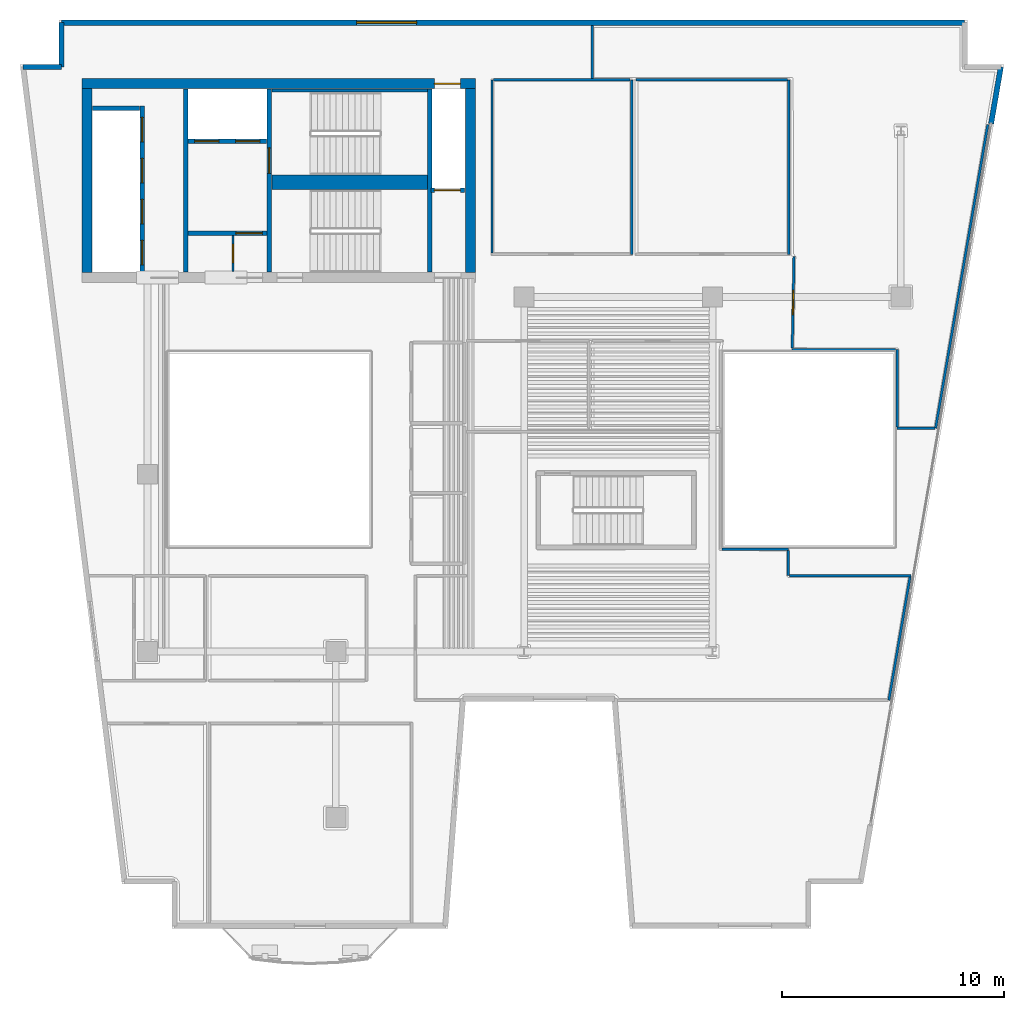
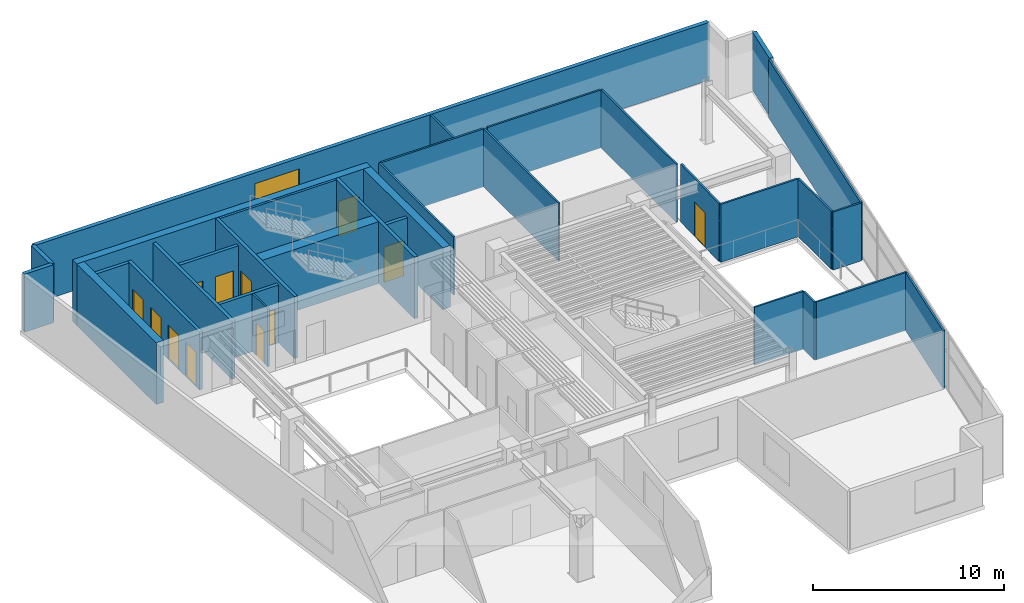
# One storey, part 5 of 9: 33 walls, 12 doors, 1 window, 13 openings.
"""IFC4 building model written with IfcOpenShell, lengths in metres."""

from ifc_helpers import new_model, si_unit, direction, frame, frame_2d, origin, place, context, subcontext, project, spatial, rectangle, extrude, material, layer, layer_set, type_object, element, fill, save


model = new_model("IFC4")

# Units and contexts
model_context = context("Model", 3, precision=1e-05, world=origin(), true_north=direction((0.0, 1.0)))
body_context = subcontext(model_context, "Body", "Model", "MODEL_VIEW")
ifc_project = project(units=[si_unit("LENGTHUNIT", "METRE"), si_unit("AREAUNIT", "SQUARE_METRE"), si_unit("VOLUMEUNIT", "CUBIC_METRE"), si_unit("PLANEANGLEUNIT", "RADIAN"), si_unit("MASSUNIT", "GRAM", prefix="KILO")], contexts=[model_context])

# Site, building, storey
site_placement = place(None, origin())
site = spatial("IfcSite", under=ifc_project, at=site_placement, CompositionType="ELEMENT")
building_placement = place(site_placement, origin())
building = spatial("IfcBuilding", under=site, at=building_placement, Name="Caeloran Harvest Quay", CompositionType="ELEMENT")
storey_placement = place(building_placement, frame((0.0, 0.0, 215.35009765625)))
storey = spatial("IfcBuildingStorey", under=building, at=storey_placement, Name="L51", CompositionType="ELEMENT", Elevation=215.35009765625)

# Walls
ifc_material_1 = material(Name="Precast concrete C50/60", Category="concrete")
ifc_layer_1 = layer(ifc_material_1, 0.239990234375, Name="Precast concrete C50/60")
ifc_layer_set_1 = layer_set([ifc_layer_1], Name="Precast concrete C50/60")
wall_type_1 = type_object("IfcWallType", Name="ENV-WALL-EW-240", PredefinedType="STANDARD", material=ifc_layer_set_1)
wall_1_placement = place(storey_placement, frame((2.884765625, 41.3798828125, 0.0), z_axis=(0.0, 0.0, 1.0), x_axis=(1.0, 0.0, 0.0)))
element("IfcWall", 1, at=wall_1_placement, inside=storey, type_object=wall_type_1, Name="L51 Exterior Precast Concrete Facade Wall 4", PredefinedType="STANDARD", context=body_context, shape_type="SweptSolid", body=[
    extrude(rectangle(XDim=1.7353515625, YDim=0.239990234375, at=frame_2d((0.86767578125, 0.0))), origin(), (0.0, 0.0, 1.0), 3.699951171875),
])
wall_2_placement = place(storey_placement, frame((4.6201171875, 41.3798828125, 0.0), z_axis=(0.0, 0.0, 1.0), x_axis=(0.0, 1.0, 0.0)))
element("IfcWall", 2, at=wall_2_placement, inside=storey, type_object=wall_type_1, Name="L51 Exterior Precast Concrete Facade Wall 5", PredefinedType="STANDARD", context=body_context, shape_type="SweptSolid", body=[
    extrude(rectangle(XDim=2.0, YDim=0.239990234375, at=frame_2d((1.0, 0.0))), origin(), (0.0, 0.0, 1.0), 3.699951171875),
])

# Wall, opening, window
wall_3_placement = place(storey_placement, frame((4.6201171875, 43.3798828125, 0.0), z_axis=(0.0, 0.0, 1.0), x_axis=(1.0, 0.0, 0.0)))
wall_3 = element("IfcWall", 3, at=wall_3_placement, inside=storey, type_object=wall_type_1, Name="L51 Exterior Precast Concrete Facade Wall 6", PredefinedType="STANDARD", context=body_context, shape_type="SweptSolid", body=[
    extrude(rectangle(XDim=40.759765625, YDim=0.239990234375, at=frame_2d((20.3798828125, 0.0))), origin(), (0.0, 0.0, 1.0), 3.699951171875),
])
opening_1_placement = place(wall_3_placement, frame((13.323974609375, 0.0, 0.89990234375)))
opening_1 = element("IfcOpeningElement", 4, at=opening_1_placement, cuts=wall_3, Name="Opening W-07", PredefinedType="OPENING", context=body_context, shape_type="SweptSolid", body=[
    extrude(rectangle(XDim=2.699951171875, YDim=2.10009765625, at=frame_2d((1.35009765625, 1.050048828125))), frame((0.0, 0.1298828125, 0.0), z_axis=(0.0, -1.0, 0.0), x_axis=(1.0, 0.0, 0.0)), (0.0, 0.0, 1.0), 0.260009765625),
])
ifc_material_2 = material(Name="Aluminium-Framed Low-E Laminated Glass", Category="aluminium")
window_type = type_object("IfcWindowType", Name="WIN-W-07", PartitioningType="DOUBLE_PANEL_VERTICAL", PredefinedType="WINDOW", material=ifc_material_2)
window_placement = place(opening_1_placement, origin())
window = element("IfcWindow", 5, at=window_placement, inside=storey, type_object=window_type, Name="L51 Facade Punched Window W-07", OverallHeight=2.10009765625, OverallWidth=2.699951171875, PartitioningType="DOUBLE_PANEL_VERTICAL", PredefinedType="WINDOW", context=body_context, shape_type="SweptSolid", body=[
    extrude(rectangle(XDim=2.699951171875, YDim=2.10009765625, at=frame_2d((1.35009765625, 1.050048828125))), frame((0.0, 0.030029296875, 0.0), z_axis=(0.0, -1.0, 0.0), x_axis=(1.0, 0.0, 0.0)), (0.0, 0.0, 1.0), 0.06005859375),
])
fill(opening_1, window)

# Wall
wall_4_placement = place(storey_placement, frame((47.013916015625, 41.3798828125, 0.0), z_axis=(0.0, 0.0, 1.0), x_axis=(-0.169406892601, -0.985546196147, 0.0)))
element("IfcWall", 6, at=wall_4_placement, inside=storey, type_object=wall_type_1, Name="L51 Exterior Facade Corner Pier Wall 9A", PredefinedType="STANDARD", context=body_context, shape_type="SweptSolid", body=[
    extrude(rectangle(XDim=2.599853515625, YDim=0.239990234375, at=frame_2d((1.2998046875, 0.0))), origin(), (0.0, 0.0, 1.0), 3.699951171875),
])

# Wall, opening, door
ifc_material_3 = material(Name="Fire-Resisting Gypsum Core Riser Partition", Category="gypsum")
ifc_layer_2 = layer(ifc_material_3, 0.10009765625, Name="Fire-Resisting Gypsum Core Riser Partition")
ifc_layer_set_2 = layer_set([ifc_layer_2], Name="Fire-Resisting Gypsum Core Riser Partition")
wall_type_2 = type_object("IfcWallType", Name="INT-WALL-PW-100", PredefinedType="PARTITIONING", material=ifc_layer_set_2)
wall_5_placement = place(storey_placement, frame((12.360107421875, 32.159912109375, 0.0), z_axis=(0.0, 0.0, 1.0), x_axis=(0.0, 1.0, 0.0)))
wall_5 = element("IfcWall", 7, at=wall_5_placement, inside=storey, type_object=wall_type_2, Name="L51 Core Store Partition Wall", PredefinedType="PARTITIONING", context=body_context, shape_type="SweptSolid", body=[
    extrude(rectangle(XDim=1.6201171875, YDim=0.10009765625, at=frame_2d((0.81005859375, 0.0))), origin(), (0.0, 0.0, 1.0), 3.699951171875),
])
opening_2_placement = place(wall_5_placement, frame((0.3798828125, 0.0, 0.0)))
opening_2 = element("IfcOpeningElement", 8, at=opening_2_placement, cuts=wall_5, Name="Opening SV-01", PredefinedType="OPENING", context=body_context, shape_type="SweptSolid", body=[
    extrude(rectangle(XDim=0.85009765625, YDim=2.10009765625, at=frame_2d((0.425048828125, 1.050048828125))), frame((0.0, 0.06005859375, 0.0), z_axis=(0.0, -1.0, 0.0), x_axis=(1.0, 0.0, 0.0)), (0.0, 0.0, 1.0), 0.1201171875),
])
ifc_material_4 = material(Name="Galvanized Painted Steel", Category="steel")
door_type_1 = type_object("IfcDoorType", Name="INTDOOR-SV-01", OperationType="NOTDEFINED", PredefinedType="DOOR", material=ifc_material_4)
door_1_placement = place(opening_2_placement, origin())
door_1 = element("IfcDoor", 9, at=door_1_placement, inside=storey, type_object=door_type_1, Name="L51 Core Service Room Access Door", OperationType="SINGLE_SWING_RIGHT", OverallHeight=2.10009765625, OverallWidth=0.85009765625, PredefinedType="DOOR", context=body_context, shape_type="SweptSolid", body=[
    extrude(rectangle(XDim=0.85009765625, YDim=2.10009765625, at=frame_2d((0.425048828125, 1.050048828125))), frame((0.0, 0.02490234375, 0.0), z_axis=(0.0, -1.0, 0.0), x_axis=(1.0, 0.0, 0.0)), (0.0, 0.0, 1.0), 0.050048828125),
])
fill(opening_2, door_1)

# Walls
ifc_material_5 = material(Name="Single-Stud Acoustic Gypsum Office Partition", Category="gypsum")
ifc_layer_3 = layer(ifc_material_5, 0.112060546875, Name="Single-Stud Acoustic Gypsum Office Partition")
ifc_layer_set_3 = layer_set([ifc_layer_3], Name="Single-Stud Acoustic Gypsum Office Partition")
wall_type_3 = type_object("IfcWallType", Name="INT-WALL-PW-112", PredefinedType="PARTITIONING", material=ifc_layer_set_3)
wall_6_placement = place(storey_placement, frame((30.35009765625, 40.800048828125, 0.0), z_axis=(0.0, 0.0, 1.0), x_axis=(0.0, -1.0, 0.0)))
element("IfcWall", 10, at=wall_6_placement, inside=storey, type_object=wall_type_3, Name="L51 Bioinformatics and Crop Phenotyping Laboratory Partition Wall", PredefinedType="PARTITIONING", context=body_context, shape_type="SweptSolid", body=[
    extrude(rectangle(XDim=7.880126953125, YDim=0.112060546875, at=frame_2d((3.93994140625, 0.0))), origin(), (0.0, 0.0, 1.0), 3.699951171875),
])
wall_7_placement = place(storey_placement, frame((24.050048828125, 32.98095703125, 0.0), z_axis=(0.0, 0.0, 1.0), x_axis=(0.0, 1.0, 0.0)))
element("IfcWall", 11, at=wall_7_placement, inside=storey, type_object=wall_type_3, Name="L51 Bioinformatics and Crop Phenotyping Laboratory Partition Wall", PredefinedType="PARTITIONING", context=body_context, shape_type="SweptSolid", body=[
    extrude(rectangle(XDim=7.819091796875, YDim=0.112060546875, at=frame_2d((3.90966796875, 0.0))), origin(), (0.0, 0.0, 1.0), 3.699951171875),
])
wall_8_placement = place(storey_placement, frame((24.111083984375, 40.800048828125, 0.0), z_axis=(0.0, 0.0, 1.0), x_axis=(1.0, 0.0, 0.0)))
element("IfcWall", 12, at=wall_8_placement, inside=storey, type_object=wall_type_3, Name="L51 Bioinformatics and Crop Phenotyping Laboratory Partition Wall", PredefinedType="PARTITIONING", context=body_context, shape_type="SweptSolid", body=[
    extrude(rectangle(XDim=6.177978515625, YDim=0.112060546875, at=frame_2d((3.0888671875, 0.0))), origin(), (0.0, 0.0, 1.0), 3.699951171875),
])
wall_9_placement = place(storey_placement, frame((37.449951171875, 40.800048828125, 0.0), z_axis=(0.0, 0.0, 1.0), x_axis=(0.0, -1.0, 0.0)))
element("IfcWall", 13, at=wall_9_placement, inside=storey, type_object=wall_type_3, Name="L51 Agri-Genomics Executive Strategy Boardroom Partition Wall", PredefinedType="PARTITIONING", context=body_context, shape_type="SweptSolid", body=[
    extrude(rectangle(XDim=7.880126953125, YDim=0.112060546875, at=frame_2d((3.93994140625, 0.0))), origin(), (0.0, 0.0, 1.0), 3.699951171875),
])
wall_10_placement = place(storey_placement, frame((30.550048828125, 40.800048828125, 0.0), z_axis=(0.0, 0.0, 1.0), x_axis=(1.0, 0.0, 0.0)))
element("IfcWall", 14, at=wall_10_placement, inside=storey, type_object=wall_type_3, Name="L51 Agri-Genomics Executive Strategy Boardroom Partition Wall", PredefinedType="PARTITIONING", context=body_context, shape_type="SweptSolid", body=[
    extrude(rectangle(XDim=6.8388671875, YDim=0.112060546875, at=frame_2d((3.41943359375, 0.0))), origin(), (0.0, 0.0, 1.0), 3.699951171875),
])
wall_11_placement = place(storey_placement, frame((34.430908203125, 19.6201171875, 0.0), z_axis=(0.0, 0.0, 1.0), x_axis=(1.0, 0.0, 0.0)))
element("IfcWall", 15, at=wall_11_placement, inside=storey, type_object=wall_type_3, Name="Roundtable Conference Room Partition Wall", PredefinedType="PARTITIONING", context=body_context, shape_type="SweptSolid", body=[
    extrude(rectangle(XDim=2.989013671875, YDim=0.112060546875, at=frame_2d((1.49462890625, 0.0))), origin(), (0.0, 0.0, 1.0), 3.699951171875),
])
wall_12_placement = place(storey_placement, frame((37.419921875, 19.55908203125, 0.0), z_axis=(0.0, 0.0, 1.0), x_axis=(0.0, -1.0, 0.0)))
element("IfcWall", 16, at=wall_12_placement, inside=storey, type_object=wall_type_3, Name="Roundtable Conference Room Partition Wall", PredefinedType="PARTITIONING", context=body_context, shape_type="SweptSolid", body=[
    extrude(rectangle(XDim=1.13916015625, YDim=0.112060546875, at=frame_2d((0.569580078125, 0.0))), origin(), (0.0, 0.0, 1.0), 3.699951171875),
])
wall_13_placement = place(storey_placement, frame((37.48095703125, 18.419921875, 0.0), z_axis=(0.0, 0.0, 1.0), x_axis=(1.0, 0.0, 0.0)))
element("IfcWall", 17, at=wall_13_placement, inside=storey, type_object=wall_type_3, Name="Roundtable Conference Room Partition Wall", PredefinedType="PARTITIONING", context=body_context, shape_type="SweptSolid", body=[
    extrude(rectangle(XDim=5.47998046875, YDim=0.112060546875, at=frame_2d((2.739990234375, 0.0))), origin(), (0.0, 0.0, 1.0), 3.699951171875),
])
wall_14_placement = place(storey_placement, frame((42.91455078125, 18.35888671875, 0.0), z_axis=(0.0, 0.0, 1.0), x_axis=(-0.169247345334, -0.985573607651, 0.0)))
element("IfcWall", 18, at=wall_14_placement, inside=storey, type_object=wall_type_3, Name="Roundtable Conference Room Partition Wall", PredefinedType="PARTITIONING", context=body_context, shape_type="SweptSolid", body=[
    extrude(rectangle(XDim=5.64013671875, YDim=0.112060546875, at=frame_2d((2.820068359375, 0.0))), origin(), (0.0, 0.0, 1.0), 3.699951171875),
])
wall_15_placement = place(storey_placement, frame((46.424560546875, 38.777099609375, 0.0), z_axis=(0.0, 0.0, 1.0), x_axis=(-0.169413343695, -0.985545087238, 0.0)))
element("IfcWall", 19, at=wall_15_placement, inside=storey, type_object=wall_type_3, Name="Policy Seminar Meeting Hall 8 Partition Wall", PredefinedType="PARTITIONING", context=body_context, shape_type="SweptSolid", body=[
    extrude(rectangle(XDim=13.89794921875, YDim=0.112060546875, at=frame_2d((6.948974609375, 0.0))), origin(), (0.0, 0.0, 1.0), 3.699951171875),
])
wall_16_placement = place(storey_placement, frame((44.04052734375, 25.080078125, 0.0), z_axis=(0.0, 0.0, 1.0), x_axis=(-1.0, 0.0, 0.0)))
element("IfcWall", 20, at=wall_16_placement, inside=storey, type_object=wall_type_3, Name="Policy Seminar Meeting Hall 8 Partition Wall", PredefinedType="PARTITIONING", context=body_context, shape_type="SweptSolid", body=[
    extrude(rectangle(XDim=1.71044921875, YDim=0.112060546875, at=frame_2d((0.855224609375, 0.0))), origin(), (0.0, 0.0, 1.0), 3.699951171875),
])
wall_17_placement = place(storey_placement, frame((42.330078125, 25.14111328125, 0.0), z_axis=(0.0, 0.0, 1.0), x_axis=(0.0, 1.0, 0.0)))
element("IfcWall", 21, at=wall_17_placement, inside=storey, type_object=wall_type_3, Name="Policy Seminar Meeting Hall 8 Partition Wall", PredefinedType="PARTITIONING", context=body_context, shape_type="SweptSolid", body=[
    extrude(rectangle(XDim=3.48876953125, YDim=0.112060546875, at=frame_2d((1.744384765625, 0.0))), origin(), (0.0, 0.0, 1.0), 3.699951171875),
])
wall_18_placement = place(storey_placement, frame((42.26904296875, 28.6298828125, 0.0), z_axis=(0.0, 0.0, 1.0), x_axis=(-1.0, 0.0, 0.0)))
element("IfcWall", 22, at=wall_18_placement, inside=storey, type_object=wall_type_3, Name="Policy Seminar Meeting Hall 8 Partition Wall", PredefinedType="PARTITIONING", context=body_context, shape_type="SweptSolid", body=[
    extrude(rectangle(XDim=4.671142578125, YDim=0.112060546875, at=frame_2d((2.33544921875, 0.0))), origin(), (0.0, 0.0, 1.0), 3.699951171875),
])

# Wall, opening, door
wall_19_placement = place(storey_placement, frame((37.59912109375, 28.69091796875, 0.0), z_axis=(0.0, 0.0, 1.0), x_axis=(0.019566997539, 0.999808547977, 0.0)))
wall_19 = element("IfcWall", 23, at=wall_19_placement, inside=storey, type_object=wall_type_3, Name="Policy Seminar Meeting Hall 8 Partition Wall", PredefinedType="PARTITIONING", context=body_context, shape_type="SweptSolid", body=[
    extrude(rectangle(XDim=4.1298828125, YDim=0.112060546875, at=frame_2d((2.06494140625, 0.0))), origin(), (0.0, 0.0, 1.0), 3.699951171875),
])
opening_3_placement = place(wall_19_placement, frame((1.514892578125, 0.0, 0.0)))
opening_3 = element("IfcOpeningElement", 24, at=opening_3_placement, cuts=wall_19, Name="Opening ID-04", PredefinedType="OPENING", context=body_context, shape_type="SweptSolid", body=[
    extrude(rectangle(XDim=1.10009765625, YDim=2.199951171875, at=frame_2d((0.550048828125, 1.10009765625))), frame((0.0, 0.06591796875, 0.0), z_axis=(0.0, -1.0, 0.0), x_axis=(1.0, 0.0, 0.0)), (0.0, 0.0, 1.0), 0.132080078125),
])
ifc_material_6 = material(Name="Acoustic Walnut Veneer Executive Door", Category="wood")
door_type_2 = type_object("IfcDoorType", Name="INTDOOR-ID-04", OperationType="NOTDEFINED", PredefinedType="DOOR", material=ifc_material_6)
door_2_placement = place(opening_3_placement, origin())
door_2 = element("IfcDoor", 25, at=door_2_placement, inside=storey, type_object=door_type_2, Name="Policy Seminar Meeting Hall 8 Access Door", OperationType="SINGLE_SWING_RIGHT", OverallHeight=2.199951171875, OverallWidth=1.10009765625, PredefinedType="DOOR", context=body_context, shape_type="SweptSolid", body=[
    extrude(rectangle(XDim=1.10009765625, YDim=2.199951171875, at=frame_2d((0.550048828125, 1.10009765625))), frame((0.0, 0.02490234375, 0.0), z_axis=(0.0, -1.0, 0.0), x_axis=(1.0, 0.0, 0.0)), (0.0, 0.0, 1.0), 0.050048828125),
])
fill(opening_3, door_2)

# Wall
wall_20_placement = place(storey_placement, frame((28.580078125, 40.861083984375, 0.0), z_axis=(0.0, 0.0, 1.0), x_axis=(0.0, 1.0, 0.0)))
element("IfcWall", 26, at=wall_20_placement, inside=storey, type_object=wall_type_3, Name="Policy Seminar Meeting Hall 8 Partition Wall", PredefinedType="PARTITIONING", context=body_context, shape_type="SweptSolid", body=[
    extrude(rectangle(XDim=2.393798828125, YDim=0.112060546875, at=frame_2d((1.19677734375, 0.0))), origin(), (0.0, 0.0, 1.0), 3.699951171875),
])

# Wall, openings, doors
ifc_material_7 = material(Name="Concrete C50/60", Category="concrete")
ifc_layer_4 = layer(ifc_material_7, 0.199951171875, Name="Concrete C50/60")
ifc_layer_set_4 = layer_set([ifc_layer_4], Name="Concrete C50/60")
wall_type_4 = type_object("IfcWallType", Name="INT-WALL-SW-200", PredefinedType="PARTITIONING", material=ifc_layer_set_4)
wall_21_placement = place(storey_placement, frame((8.260009765625, 32.1201171875, 0.0), z_axis=(0.0, 0.0, 1.0), x_axis=(0.0, 1.0, 0.0)))
wall_21 = element("IfcWall", 27, at=wall_21_placement, inside=storey, type_object=wall_type_4, Name="L51 Bank 3 Lift Shaft Wall", PredefinedType="PARTITIONING", context=body_context, shape_type="SweptSolid", body=[
    extrude(rectangle(XDim=7.5, YDim=0.199951171875, at=frame_2d((3.75, 0.0))), origin(), (0.0, 0.0, 1.0), 3.699951171875),
])
opening_4_placement = place(wall_21_placement, frame((0.330078125, 0.0, 0.0)))
opening_4 = element("IfcOpeningElement", 28, at=opening_4_placement, cuts=wall_21, Name="Opening LD-01", PredefinedType="OPENING", context=body_context, shape_type="SweptSolid", body=[
    extrude(rectangle(XDim=1.10009765625, YDim=2.199951171875, at=frame_2d((0.550048828125, 1.10009765625))), frame((0.0, 0.10986328125, 0.0), z_axis=(0.0, -1.0, 0.0), x_axis=(1.0, 0.0, 0.0)), (0.0, 0.0, 1.0), 0.219970703125),
])
opening_5_placement = place(wall_21_placement, frame((2.179931640625, 0.0, 0.0)))
opening_5 = element("IfcOpeningElement", 29, at=opening_5_placement, cuts=wall_21, Name="Opening LD-01", PredefinedType="OPENING", context=body_context, shape_type="SweptSolid", body=[
    extrude(rectangle(XDim=1.10009765625, YDim=2.199951171875, at=frame_2d((0.550048828125, 1.10009765625))), frame((0.0, 0.10986328125, 0.0), z_axis=(0.0, -1.0, 0.0), x_axis=(1.0, 0.0, 0.0)), (0.0, 0.0, 1.0), 0.219970703125),
])
opening_6_placement = place(wall_21_placement, frame((4.030029296875, 0.0, 0.0)))
opening_6 = element("IfcOpeningElement", 30, at=opening_6_placement, cuts=wall_21, Name="Opening LD-01", PredefinedType="OPENING", context=body_context, shape_type="SweptSolid", body=[
    extrude(rectangle(XDim=1.10009765625, YDim=2.199951171875, at=frame_2d((0.550048828125, 1.10009765625))), frame((0.0, 0.10986328125, 0.0), z_axis=(0.0, -1.0, 0.0), x_axis=(1.0, 0.0, 0.0)), (0.0, 0.0, 1.0), 0.219970703125),
])
opening_7_placement = place(wall_21_placement, frame((5.8798828125, 0.0, 0.0)))
opening_7 = element("IfcOpeningElement", 31, at=opening_7_placement, cuts=wall_21, Name="Opening LD-01", PredefinedType="OPENING", context=body_context, shape_type="SweptSolid", body=[
    extrude(rectangle(XDim=1.10009765625, YDim=2.199951171875, at=frame_2d((0.550048828125, 1.10009765625))), frame((0.0, 0.10986328125, 0.0), z_axis=(0.0, -1.0, 0.0), x_axis=(1.0, 0.0, 0.0)), (0.0, 0.0, 1.0), 0.219970703125),
])
ifc_material_8 = material(Name="Stainless Steel Grade 316", Category="steel")
door_type_3 = type_object("IfcDoorType", Name="INTDOOR-LD-01", OperationType="NOTDEFINED", PredefinedType="DOOR", material=ifc_material_8)
door_3_placement = place(opening_4_placement, origin())
door_3 = element("IfcDoor", 32, at=door_3_placement, inside=storey, type_object=door_type_3, Name="Lift P3-1 Sliding Landing Door (L51)", OperationType="DOUBLE_DOOR_SLIDING", OverallHeight=2.199951171875, OverallWidth=1.10009765625, PredefinedType="DOOR", context=body_context, shape_type="SweptSolid", body=[
    extrude(rectangle(XDim=1.10009765625, YDim=2.199951171875, at=frame_2d((0.550048828125, 1.10009765625))), frame((0.0, 0.02490234375, 0.0), z_axis=(0.0, -1.0, 0.0), x_axis=(1.0, 0.0, 0.0)), (0.0, 0.0, 1.0), 0.050048828125),
])
fill(opening_4, door_3)
door_4_placement = place(opening_5_placement, origin())
door_4 = element("IfcDoor", 33, at=door_4_placement, inside=storey, type_object=door_type_3, Name="Lift P3-2 Sliding Landing Door (L51)", OperationType="DOUBLE_DOOR_SLIDING", OverallHeight=2.199951171875, OverallWidth=1.10009765625, PredefinedType="DOOR", context=body_context, shape_type="SweptSolid", body=[
    extrude(rectangle(XDim=1.10009765625, YDim=2.199951171875, at=frame_2d((0.550048828125, 1.10009765625))), frame((0.0, 0.02490234375, 0.0), z_axis=(0.0, -1.0, 0.0), x_axis=(1.0, 0.0, 0.0)), (0.0, 0.0, 1.0), 0.050048828125),
])
fill(opening_5, door_4)
door_5_placement = place(opening_6_placement, origin())
door_5 = element("IfcDoor", 34, at=door_5_placement, inside=storey, type_object=door_type_3, Name="Lift P3-3 Sliding Landing Door (L51)", OperationType="DOUBLE_DOOR_SLIDING", OverallHeight=2.199951171875, OverallWidth=1.10009765625, PredefinedType="DOOR", context=body_context, shape_type="SweptSolid", body=[
    extrude(rectangle(XDim=1.10009765625, YDim=2.199951171875, at=frame_2d((0.550048828125, 1.10009765625))), frame((0.0, 0.02490234375, 0.0), z_axis=(0.0, -1.0, 0.0), x_axis=(1.0, 0.0, 0.0)), (0.0, 0.0, 1.0), 0.050048828125),
])
fill(opening_6, door_5)
door_6_placement = place(opening_7_placement, origin())
door_6 = element("IfcDoor", 35, at=door_6_placement, inside=storey, type_object=door_type_3, Name="Lift P3-4 Sliding Landing Door (L51)", OperationType="DOUBLE_DOOR_SLIDING", OverallHeight=2.199951171875, OverallWidth=1.10009765625, PredefinedType="DOOR", context=body_context, shape_type="SweptSolid", body=[
    extrude(rectangle(XDim=1.10009765625, YDim=2.199951171875, at=frame_2d((0.550048828125, 1.10009765625))), frame((0.0, 0.02490234375, 0.0), z_axis=(0.0, -1.0, 0.0), x_axis=(1.0, 0.0, 0.0)), (0.0, 0.0, 1.0), 0.050048828125),
])
fill(opening_7, door_6)

# Walls
wall_22_placement = place(storey_placement, frame((6.02001953125, 39.52001953125, 0.0), z_axis=(0.0, 0.0, 1.0), x_axis=(1.0, 0.0, 0.0)))
element("IfcWall", 36, at=wall_22_placement, inside=storey, type_object=wall_type_4, Name="L51 Bank 3 Lift Shaft North End Wall", PredefinedType="PARTITIONING", context=body_context, shape_type="SweptSolid", body=[
    extrude(rectangle(XDim=2.119873046875, YDim=0.199951171875, at=frame_2d((1.06005859375, 0.0))), origin(), (0.0, 0.0, 1.0), 3.699951171875),
])
wall_23_placement = place(storey_placement, frame((10.219970703125, 32.1201171875, 0.0), z_axis=(0.0, 0.0, 1.0), x_axis=(0.0, 1.0, 0.0)))
element("IfcWall", 37, at=wall_23_placement, inside=storey, type_object=wall_type_4, Name="L51 Core Lobby Compartment Wall", PredefinedType="PARTITIONING", context=body_context, shape_type="SweptSolid", body=[
    extrude(rectangle(XDim=8.259765625, YDim=0.199951171875, at=frame_2d((4.1298828125, 0.0))), origin(), (0.0, 0.0, 1.0), 3.699951171875),
])

# Wall, openings, doors
wall_24_placement = place(storey_placement, frame((10.340087890625, 38.02001953125, 0.0), z_axis=(0.0, 0.0, 1.0), x_axis=(1.0, 0.0, 0.0)))
wall_24 = element("IfcWall", 38, at=wall_24_placement, inside=storey, type_object=wall_type_4, Name="L51 Firefighting Lift Shaft Wall", PredefinedType="PARTITIONING", context=body_context, shape_type="SweptSolid", body=[
    extrude(rectangle(XDim=3.539794921875, YDim=0.199951171875, at=frame_2d((1.77001953125, 0.0))), origin(), (0.0, 0.0, 1.0), 3.699951171875),
])
opening_8_placement = place(wall_24_placement, frame((0.284912109375, 0.0, 0.0)))
opening_8 = element("IfcOpeningElement", 39, at=opening_8_placement, cuts=wall_24, Name="Opening LD-01", PredefinedType="OPENING", context=body_context, shape_type="SweptSolid", body=[
    extrude(rectangle(XDim=1.10009765625, YDim=2.199951171875, at=frame_2d((0.550048828125, 1.10009765625))), frame((0.0, 0.10986328125, 0.0), z_axis=(0.0, -1.0, 0.0), x_axis=(1.0, 0.0, 0.0)), (0.0, 0.0, 1.0), 0.219970703125),
])
opening_9_placement = place(wall_24_placement, frame((2.135009765625, 0.0, 0.0)))
opening_9 = element("IfcOpeningElement", 40, at=opening_9_placement, cuts=wall_24, Name="Opening LD-01", PredefinedType="OPENING", context=body_context, shape_type="SweptSolid", body=[
    extrude(rectangle(XDim=1.10009765625, YDim=2.199951171875, at=frame_2d((0.550048828125, 1.10009765625))), frame((0.0, 0.10986328125, 0.0), z_axis=(0.0, -1.0, 0.0), x_axis=(1.0, 0.0, 0.0)), (0.0, 0.0, 1.0), 0.219970703125),
])
door_7_placement = place(opening_8_placement, origin())
door_7 = element("IfcDoor", 41, at=door_7_placement, inside=storey, type_object=door_type_3, Name="Lift FF-1 Sliding Landing Door (L51)", OperationType="DOUBLE_DOOR_SLIDING", OverallHeight=2.199951171875, OverallWidth=1.10009765625, PredefinedType="DOOR", context=body_context, shape_type="SweptSolid", body=[
    extrude(rectangle(XDim=1.10009765625, YDim=2.199951171875, at=frame_2d((0.550048828125, 1.10009765625))), frame((0.0, 0.02490234375, 0.0), z_axis=(0.0, -1.0, 0.0), x_axis=(1.0, 0.0, 0.0)), (0.0, 0.0, 1.0), 0.050048828125),
])
fill(opening_8, door_7)
door_8_placement = place(opening_9_placement, origin())
door_8 = element("IfcDoor", 42, at=door_8_placement, inside=storey, type_object=door_type_3, Name="Lift FF-2 Sliding Landing Door (L51)", OperationType="DOUBLE_DOOR_SLIDING", OverallHeight=2.199951171875, OverallWidth=1.10009765625, PredefinedType="DOOR", context=body_context, shape_type="SweptSolid", body=[
    extrude(rectangle(XDim=1.10009765625, YDim=2.199951171875, at=frame_2d((0.550048828125, 1.10009765625))), frame((0.0, 0.02490234375, 0.0), z_axis=(0.0, -1.0, 0.0), x_axis=(1.0, 0.0, 0.0)), (0.0, 0.0, 1.0), 0.050048828125),
])
fill(opening_9, door_8)

# Wall, opening, door
wall_25_placement = place(storey_placement, frame((10.340087890625, 33.8798828125, 0.0), z_axis=(0.0, 0.0, 1.0), x_axis=(1.0, 0.0, 0.0)))
wall_25 = element("IfcWall", 43, at=wall_25_placement, inside=storey, type_object=wall_type_4, Name="L51 Firefighting Lift Lobby Enclosure Wall", PredefinedType="PARTITIONING", context=body_context, shape_type="SweptSolid", body=[
    extrude(rectangle(XDim=3.559814453125, YDim=0.199951171875, at=frame_2d((1.77978515625, 0.0))), origin(), (0.0, 0.0, 1.0), 3.699951171875),
])
opening_10_placement = place(wall_25_placement, frame((2.14990234375, 0.0, 0.0)))
opening_10 = element("IfcOpeningElement", 44, at=opening_10_placement, cuts=wall_25, Name="Opening FD-01", PredefinedType="OPENING", context=body_context, shape_type="SweptSolid", body=[
    extrude(rectangle(XDim=1.199951171875, YDim=2.199951171875, at=frame_2d((0.60009765625, 1.10009765625))), frame((0.0, 0.10986328125, 0.0), z_axis=(0.0, -1.0, 0.0), x_axis=(1.0, 0.0, 0.0)), (0.0, 0.0, 1.0), 0.219970703125),
])
ifc_material_9 = material(Name="Steel", Category="steel")
door_type_4 = type_object("IfcDoorType", Name="INTDOOR-FD-01", OperationType="NOTDEFINED", PredefinedType="DOOR", material=ifc_material_9)
door_9_placement = place(opening_10_placement, origin())
door_9 = element("IfcDoor", 45, at=door_9_placement, inside=storey, type_object=door_type_4, Name="L51 Firefighting Lift Lobby Smoke-Seal Fire Door", OperationType="SINGLE_SWING_RIGHT", OverallHeight=2.199951171875, OverallWidth=1.199951171875, PredefinedType="DOOR", context=body_context, shape_type="SweptSolid", body=[
    extrude(rectangle(XDim=1.199951171875, YDim=2.199951171875, at=frame_2d((0.60009765625, 1.10009765625))), frame((0.0, 0.02490234375, 0.0), z_axis=(0.0, -1.0, 0.0), x_axis=(1.0, 0.0, 0.0)), (0.0, 0.0, 1.0), 0.050048828125),
])
fill(opening_10, door_9)

wall_26_placement = place(storey_placement, frame((21.300048828125, 35.820068359375, 0.0), z_axis=(0.0, 0.0, 1.0), x_axis=(1.0, 0.0, 0.0)))
wall_26 = element("IfcWall", 46, at=wall_26_placement, inside=storey, type_object=wall_type_4, Name="L51 Service Lift SV-2 Shaft Wall", PredefinedType="PARTITIONING", context=body_context, shape_type="SweptSolid", body=[
    extrude(rectangle(XDim=1.5, YDim=0.199951171875, at=frame_2d((0.75, 0.0))), origin(), (0.0, 0.0, 1.0), 3.699951171875),
])
opening_11_placement = place(wall_26_placement, frame((0.14501953125, 0.0, 0.0)))
opening_11 = element("IfcOpeningElement", 47, at=opening_11_placement, cuts=wall_26, Name="Opening LD-02", PredefinedType="OPENING", context=body_context, shape_type="SweptSolid", body=[
    extrude(rectangle(XDim=1.179931640625, YDim=2.25, at=frame_2d((0.58984375, 1.125))), frame((0.0, 0.10986328125, 0.0), z_axis=(0.0, -1.0, 0.0), x_axis=(1.0, 0.0, 0.0)), (0.0, 0.0, 1.0), 0.219970703125),
])
door_type_5 = type_object("IfcDoorType", Name="INTDOOR-LD-02", OperationType="NOTDEFINED", PredefinedType="DOOR", material=ifc_material_8)
door_10_placement = place(opening_11_placement, origin())
door_10 = element("IfcDoor", 48, at=door_10_placement, inside=storey, type_object=door_type_5, Name="Lift SV-2 Sliding Landing Door (L51)", OperationType="DOUBLE_DOOR_SLIDING", OverallHeight=2.25, OverallWidth=1.179931640625, PredefinedType="DOOR", context=body_context, shape_type="SweptSolid", body=[
    extrude(rectangle(XDim=1.179931640625, YDim=2.25, at=frame_2d((0.58984375, 1.125))), frame((0.0, 0.02490234375, 0.0), z_axis=(0.0, -1.0, 0.0), x_axis=(1.0, 0.0, 0.0)), (0.0, 0.0, 1.0), 0.050048828125),
])
fill(opening_11, door_10)

ifc_material_10 = material(Name="Concrete C60/75", Category="concrete")
ifc_layer_5 = layer(ifc_material_10, 0.449951171875, Name="Concrete C60/75")
ifc_layer_set_5 = layer_set([ifc_layer_5], Name="Concrete C60/75")
wall_type_5 = type_object("IfcWallType", Name="STR-WALL-CW-450", PredefinedType="SHEAR", material=ifc_layer_set_5)
wall_27_placement = place(storey_placement, frame((5.550048828125, 40.625, 0.0), z_axis=(0.0, 0.0, 1.0), x_axis=(1.0, 0.0, 0.0)))
wall_27 = element("IfcWall", 49, at=wall_27_placement, inside=storey, type_object=wall_type_5, Name="L51 Rear Core Shear Wall N", PredefinedType="SHEAR", context=body_context, shape_type="SweptSolid", body=[
    extrude(rectangle(XDim=17.75, YDim=0.449951171875, at=frame_2d((8.875, 0.0))), origin(), (0.0, 0.0, 1.0), 3.949951171875),
])
opening_12_placement = place(wall_27_placement, frame((15.89501953125, 0.0, 0.0)))
opening_12 = element("IfcOpeningElement", 50, at=opening_12_placement, cuts=wall_27, Name="Opening LD-02", PredefinedType="OPENING", context=body_context, shape_type="SweptSolid", body=[
    extrude(rectangle(XDim=1.179931640625, YDim=2.25, at=frame_2d((0.58984375, 1.125))), frame((0.0, 0.23486328125, 0.0), z_axis=(0.0, -1.0, 0.0), x_axis=(1.0, 0.0, 0.0)), (0.0, 0.0, 1.0), 0.469970703125),
])
door_11_placement = place(opening_12_placement, origin())
door_11 = element("IfcDoor", 51, at=door_11_placement, inside=storey, type_object=door_type_5, Name="Lift SV-1 Sliding Landing Door (L51)", OperationType="DOUBLE_DOOR_SLIDING", OverallHeight=2.25, OverallWidth=1.179931640625, PredefinedType="DOOR", context=body_context, shape_type="SweptSolid", body=[
    extrude(rectangle(XDim=1.179931640625, YDim=2.25, at=frame_2d((0.58984375, 1.125))), frame((0.0, 0.02490234375, 0.0), z_axis=(0.0, -1.0, 0.0), x_axis=(1.0, 0.0, 0.0)), (0.0, 0.0, 1.0), 0.050048828125),
])
fill(opening_12, door_11)

# Walls
for number, where, z_axis, x_axis, name in (
    (52, (5.77490234375, 32.10009765625, 0.0), (0.0, 0.0, 1.0), (0.0, 1.0, 0.0), "L51 Rear Core Shear Wall W"),
    (53, (23.074951171875, 32.10009765625, 0.0), (0.0, 0.0, 1.0), (0.0, 1.0, 0.0), "L51 Rear Core Shear Wall E"),
):
    element("IfcWall", number, at=place(storey_placement, frame(where, z_axis=z_axis, x_axis=x_axis)), inside=storey, type_object=wall_type_5, Name=name, PredefinedType="SHEAR", context=body_context, shape_type="SweptSolid", body=[
        extrude(rectangle(XDim=8.2998046875, YDim=0.449951171875, at=frame_2d((4.14990234375, 0.0))), origin(), (0.0, 0.0, 1.0), 3.949951171875),
    ])
ifc_layer_6 = layer(ifc_material_10, 0.64990234375, Name="Concrete C60/75")
ifc_layer_set_6 = layer_set([ifc_layer_6], Name="Concrete C60/75")
wall_type_6 = type_object("IfcWallType", Name="STR-WALL-CW-650", PredefinedType="SHEAR", material=ifc_layer_set_6)
wall_28_placement = place(storey_placement, frame((14.1201171875, 36.175048828125, 0.0), z_axis=(0.0, 0.0, 1.0), x_axis=(1.0, 0.0, 0.0)))
element("IfcWall", 54, at=wall_28_placement, inside=storey, type_object=wall_type_6, Name="L51 Core Stairs Dividing Shear Wall", PredefinedType="SHEAR", context=body_context, shape_type="SweptSolid", body=[
    extrude(rectangle(XDim=7.009765625, YDim=0.64990234375, at=frame_2d((3.5048828125, 0.0))), origin(), (0.0, 0.0, 1.0), 3.949951171875),
])
ifc_layer_7 = layer(ifc_material_10, 0.139892578125, Name="Concrete C60/75")
ifc_layer_set_7 = layer_set([ifc_layer_7], Name="Concrete C60/75")
wall_type_7 = type_object("IfcWallType", Name="STR-WALL-SW-140", PredefinedType="SHEAR", material=ifc_layer_set_7)
wall_29_placement = place(storey_placement, frame((14.1201171875, 40.320068359375, 0.0), z_axis=(0.0, 0.0, 1.0), x_axis=(1.0, 0.0, 0.0)))
element("IfcWall", 55, at=wall_29_placement, inside=storey, type_object=wall_type_7, Name="L51 Core Stair ST-C1 North Bearing Shear Wall", PredefinedType="SHEAR", context=body_context, shape_type="SweptSolid", body=[
    extrude(rectangle(XDim=7.009765625, YDim=0.139892578125, at=frame_2d((3.5048828125, 0.0))), origin(), (0.0, 0.0, 1.0), 3.949951171875),
])

# Wall, opening, door
ifc_layer_8 = layer(ifc_material_10, 0.199951171875, Name="Concrete C60/75")
ifc_layer_set_8 = layer_set([ifc_layer_8], Name="Concrete C60/75")
wall_type_8 = type_object("IfcWallType", Name="STR-WALL-SW-200", PredefinedType="SHEAR", material=ifc_layer_set_8)
wall_30_placement = place(storey_placement, frame((14.0, 32.1201171875, 0.0), z_axis=(0.0, 0.0, 1.0), x_axis=(0.0, 1.0, 0.0)))
wall_30 = element("IfcWall", 56, at=wall_30_placement, inside=storey, type_object=wall_type_8, Name="L51 Core Stair Shaft West Shear Wall", PredefinedType="SHEAR", context=body_context, shape_type="SweptSolid", body=[
    extrude(rectangle(XDim=8.259765625, YDim=0.199951171875, at=frame_2d((4.1298828125, 0.0))), origin(), (0.0, 0.0, 1.0), 3.949951171875),
])
opening_13_placement = place(wall_30_placement, frame((4.4599609375, 0.0, 0.0)))
opening_13 = element("IfcOpeningElement", 57, at=opening_13_placement, cuts=wall_30, Name="Opening SD-01", PredefinedType="OPENING", context=body_context, shape_type="SweptSolid", body=[
    extrude(rectangle(XDim=1.14990234375, YDim=2.199951171875, at=frame_2d((0.574951171875, 1.10009765625))), frame((0.0, 0.10986328125, 0.0), z_axis=(0.0, -1.0, 0.0), x_axis=(1.0, 0.0, 0.0)), (0.0, 0.0, 1.0), 0.219970703125),
])
door_type_6 = type_object("IfcDoorType", Name="INTDOOR-SD-01", OperationType="NOTDEFINED", PredefinedType="DOOR", material=ifc_material_9)
door_12_placement = place(opening_13_placement, origin())
door_12 = element("IfcDoor", 58, at=door_12_placement, inside=storey, type_object=door_type_6, Name="L51 Protected Stair ST-C1 Exit Door", OperationType="SINGLE_SWING_LEFT", OverallHeight=2.199951171875, OverallWidth=1.14990234375, PredefinedType="DOOR", context=body_context, shape_type="SweptSolid", body=[
    extrude(rectangle(XDim=1.14990234375, YDim=2.199951171875, at=frame_2d((0.574951171875, 1.10009765625))), frame((0.0, 0.02490234375, 0.0), z_axis=(0.0, -1.0, 0.0), x_axis=(1.0, 0.0, 0.0)), (0.0, 0.0, 1.0), 0.050048828125),
])
fill(opening_13, door_12)

# Wall
wall_31_placement = place(storey_placement, frame((21.25, 32.1201171875, 0.0), z_axis=(0.0, 0.0, 1.0), x_axis=(0.0, 1.0, 0.0)))
element("IfcWall", 59, at=wall_31_placement, inside=storey, type_object=wall_type_8, Name="L51 Core Stair Shaft East Shear Wall", PredefinedType="SHEAR", context=body_context, shape_type="SweptSolid", body=[
    extrude(rectangle(XDim=8.259765625, YDim=0.199951171875, at=frame_2d((4.1298828125, 0.0))), origin(), (0.0, 0.0, 1.0), 3.949951171875),
])

save(model, "model.ifc")
